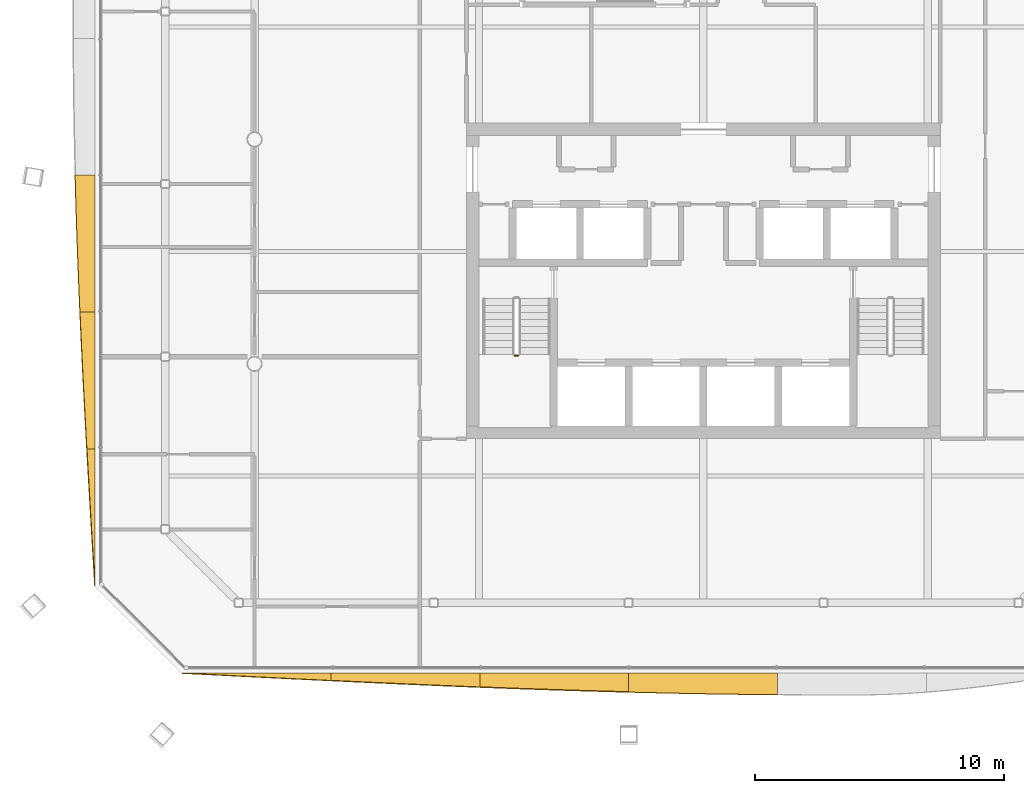
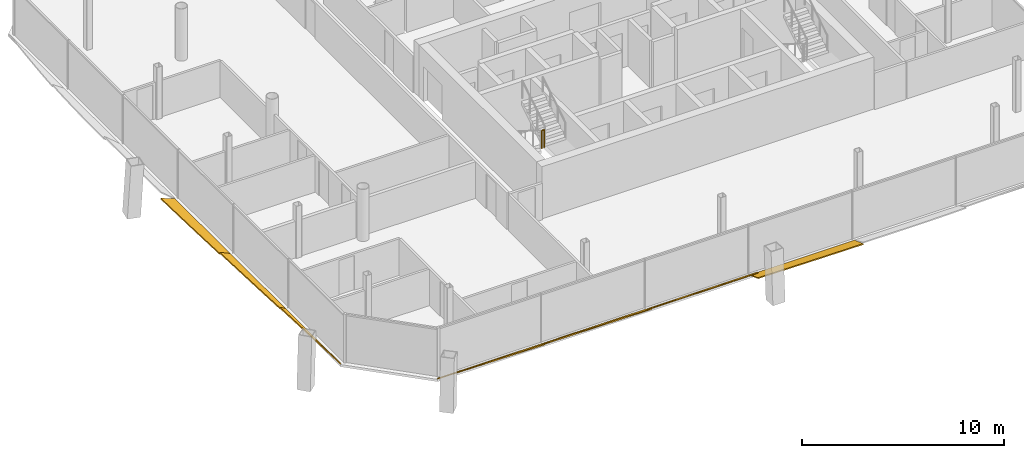
# One storey, part 17 of 20: 7 shading devices, 1 railing.
"""IFC4 building model written with IfcOpenShell, lengths in metres."""

from ifc_helpers import new_model, si_unit, direction, frame, origin, origin_2d, place, context, subcontext, project, spatial, polyline, circle, outline, extrude, material, layer, layer_set, type_object, element, save


model = new_model("IFC4")

# Units and contexts
model_context = context("Model", 3, precision=1e-05, world=origin(), true_north=direction((0.0, 1.0)))
body_context = subcontext(model_context, "Body", "Model", "MODEL_VIEW")
ifc_project = project(units=[si_unit("LENGTHUNIT", "METRE"), si_unit("AREAUNIT", "SQUARE_METRE"), si_unit("VOLUMEUNIT", "CUBIC_METRE"), si_unit("PLANEANGLEUNIT", "RADIAN"), si_unit("MASSUNIT", "GRAM", prefix="KILO")], contexts=[model_context])

# Site, building, storey
site_placement = place(None, origin())
site = spatial("IfcSite", under=ifc_project, at=site_placement, CompositionType="ELEMENT")
building_placement = place(site_placement, origin())
building = spatial("IfcBuilding", under=site, at=building_placement, Name="Tskaro Facet Tower", CompositionType="ELEMENT")
storey_placement = place(building_placement, frame((0.0, 0.0, 178.5)))
storey = spatial("IfcBuildingStorey", under=building, at=storey_placement, Name="L44", CompositionType="ELEMENT", Elevation=178.5)

# Shading devices
ifc_material_1 = material(Name="Bronze anodised aluminium 6063-T6", Category="aluminium")
ifc_layer = layer(ifc_material_1, 0.06005859375, Name="Bronze anodised aluminium 6063-T6")
ifc_layer_set = layer_set([ifc_layer], Name="Bronze anodised aluminium 6063-T6")
shading_device_type = type_object("IfcShadingDeviceType", Name="Bronze sun blade (FN1)", PredefinedType="USERDEFINED", material=ifc_layer_set)
shading_device_1_placement = place(storey_placement, frame((-20.904052734375, -21.39599609375, 0.052001953125), z_axis=(-1.4533465e-05, 0.49981108377, 0.866134447029), x_axis=(0.999999999894, 7.263987e-06, 1.2587935e-05)))
element("IfcShadingDevice", 1, at=shading_device_1_placement, inside=storey, type_object=shading_device_type, Name="Fin blade south 1", ObjectType="FIN", PredefinedType="USERDEFINED", context=body_context, shape_type="SweptSolid", body=[
    extrude(outline(polyline([(0.0, 0.0), (5.968017577494713, 0.0), (5.968017578755931, -0.34421801123745144), (5.222167968930312, -0.3027615400822808), (4.47607421765357, -0.26042664473057564), (3.729980468150262, -0.21788029077361654), (2.9841308597455707, -0.17478899541576315), (2.2380371094161133, -0.1313642172622695), (1.491943357786864, -0.0876059563131355), (0.746093749855815, -0.043969719554387915), (0.0, 0.0)])), origin(), (0.0, 0.0, -1.0), 0.06005859375),
])
shading_device_2_placement = place(storey_placement, frame((-14.93603515625, -21.3916015625, 0.049072265625), z_axis=(5.055751e-06, 0.573754390458, 0.819027410655), x_axis=(0.999999999987, -2.900759e-06, -4.140799e-06)))
element("IfcShadingDevice", 2, at=shading_device_2_placement, inside=storey, type_object=shading_device_type, Name="Fin blade south 2", ObjectType="FIN", PredefinedType="USERDEFINED", context=body_context, shape_type="SweptSolid", body=[
    extrude(outline(polyline([(0.0, 0.0), (5.968017578048728, 0.0), (5.968017578473337, -0.6843466784073957), (5.221923828012962, -0.6480452947914854), (4.476074218377621, -0.6105238494533929), (3.7299804690255174, -0.5719823002570502), (2.984130858779318, -0.5321608082300777), (2.2380371095245466, -0.49151917020878705), (1.4919433594588771, -0.4497975472207988), (0.7460937499154991, -0.4071958971300449), (3.5261225866879944e-10, -0.36391417780045754), (0.0, 0.0)])), origin(), (0.0, 0.0, -1.0), 0.06005859375),
])
shading_device_3_placement = place(storey_placement, frame((-8.968017578125, -21.387451171875, 0.0458984375), z_axis=(8.258265e-06, 0.642828687402, 0.766009972901), x_axis=(0.999999999966, -5.30865e-06, -6.325913e-06)))
element("IfcShadingDevice", 3, at=shading_device_3_placement, inside=storey, type_object=shading_device_type, Name="Fin blade south 3", ObjectType="FIN", PredefinedType="USERDEFINED", context=body_context, shape_type="SweptSolid", body=[
    extrude(outline(polyline([(0.0, 0.0), (5.9680175779214935, 5.0551075184646904e-21), (5.96801757837894, -0.9863835369754501), (5.221923828443807, -0.9605634299070962), (4.476074219079385, -0.9328365349298833), (3.7299804674912793, -0.9033597926413269), (2.984130859065999, -0.8723502907510052), (2.2380371099614473, -0.8394340009518246), (1.4919433590098476, -0.8051118185923631), (0.7460937499250162, -0.7690698624775893), (-3.3579747148560575e-10, -0.7318090279560816), (0.0, 0.0)])), origin(), (0.0, 0.0, -1.0), 0.06005859375),
])
shading_device_4_placement = place(storey_placement, frame((-3.0, -21.405517578125, 0.056396484375), z_axis=(-3.513878e-06, 0.34200548813, 0.939697954705), x_axis=(0.999999999994, 1.201766e-06, 3.301984e-06)))
element("IfcShadingDevice", 4, at=shading_device_4_placement, inside=storey, type_object=shading_device_type, Name="Fin blade south 4", ObjectType="FIN", PredefinedType="USERDEFINED", context=body_context, shape_type="SweptSolid", body=[
    extrude(outline(polyline([(0.0, 0.0), (5.968017578088156, -1.2637768796161726e-21), (5.968017577922965, -0.9152848950759874), (5.221923828155332, -0.9072544514808981), (4.47607421864805, -0.8973675864631107), (3.7299804686638733, -0.8859372159022255), (2.9838867188277973, -0.8729633397982427), (2.2380371092520726, -0.8581330422715616), (1.4919433594928522, -0.8415298207558085), (0.7460937502133319, -0.8236125121429317), (-3.4923345607567583e-10, -0.8040682005533314), (0.0, 0.0)])), origin(), (0.0, 0.0, -1.0), 0.06005859375),
])
shading_device_5_placement = place(storey_placement, frame((-24.405517578125, -1.4345703125, 0.056396484375), z_axis=(0.341996239697, -1.1503062e-05, 0.939701320581), x_axis=(-3.934004e-06, -0.999999999934, -1.0809443e-05)))
element("IfcShadingDevice", 5, at=shading_device_5_placement, inside=storey, type_object=shading_device_type, Name="Fin blade west 4", ObjectType="FIN", PredefinedType="USERDEFINED", context=body_context, shape_type="SweptSolid", body=[
    extrude(outline(polyline([(0.0, 0.0), (5.489746093386797, -2.3249979067334225e-21), (5.489746093431878, -0.6339267293064497), (4.803466795739245, -0.665130829166017), (4.1171875011614345, -0.6949373471597707), (3.43115234312448, -0.7230544351036664), (2.7448730475773626, -0.7497739411817486), (2.058593750585143, -0.7747205220342599), (1.3723144521478192, -0.7978941776612002), (0.6862792964898509, -0.8194408321545921), (-1.238204623180959e-09, -0.8392145614224131), (0.0, 0.0)])), origin(), (0.0, 0.0, -1.0), 0.06005859375),
])
shading_device_6_placement = place(storey_placement, frame((-24.400634765625, -6.92431640625, 0.054443359375), z_axis=(0.422506282916, -1.6855297e-05, 0.906359995042), x_axis=(-7.121469e-06, -0.999999999858, -1.5276967e-05)))
element("IfcShadingDevice", 6, at=shading_device_6_placement, inside=storey, type_object=shading_device_type, Name="Fin blade west 5", ObjectType="FIN", PredefinedType="USERDEFINED", context=body_context, shape_type="SweptSolid", body=[
    extrude(outline(polyline([(0.0, 0.0), (5.489746092970179, 4.649995813466845e-21), (5.489746093463081, -0.3531223858806406), (4.803710938259277, -0.3948475449689532), (4.117431639205678, -0.43558443592648977), (3.431152342395615, -0.4754511871009539), (2.7448730460904494, -0.5142265191966499), (2.05859375029018, -0.5519104322135776), (1.3725585938811333, -0.588281646856041), (0.6862792973520188, -0.6235614424197363), (-2.149478512959409e-09, -0.6573072603132715), (0.0, 0.0)])), origin(), (0.0, 0.0, -1.0), 0.06005859375),
])
shading_device_7_placement = place(storey_placement, frame((-24.39599609375, -12.4140625, 0.052001953125), z_axis=(0.499974390006, -5.573876e-06, 0.866040189199), x_axis=(-2.786795e-06, -0.999999999984, -4.8272e-06)))
element("IfcShadingDevice", 7, at=shading_device_7_placement, inside=storey, type_object=shading_device_type, Name="Fin blade west 6", ObjectType="FIN", PredefinedType="USERDEFINED", context=body_context, shape_type="SweptSolid", body=[
    extrude(outline(polyline([(0.0, 0.0), (5.489990234289718, 0.0), (4.8037109374114975, -0.04736139346165817), (4.1174316410314225, -0.09438928727018507), (3.4311523434728324, -0.14153924513877386), (2.7451171875355294, -0.18802220370110015), (2.058837890292861, -0.23429372667035703), (1.3725585935483373, -0.2802317499864827), (0.6862792971197361, -0.3252913384032764), (-1.7145917534358176e-10, -0.36959455598080015), (0.0, 0.0)])), origin(), (0.0, 0.0, -1.0), 0.06005859375),
])

# Railing
ifc_material_2 = material(Name="Stainless steel", Category="steel")
railing_type = type_object("IfcRailingType", Name="RL-GUARD-1100", PredefinedType="GUARDRAIL", material=ifc_material_2)
railing_placement = place(storey_placement, frame((-7.574951171875, -8.6650390625, 1.574951171875)))
element("IfcRailing", 8, at=railing_placement, inside=storey, type_object=railing_type, Name="L44 ST-1 stair guard 2", PredefinedType="GUARDRAIL", context=body_context, shape_type="SweptSolid", body=[
    extrude(circle(Radius=0.02392578125, at=origin_2d()), frame((0.0, 0.0, 1.076171875), z_axis=(1.0, 0.0, 0.0), x_axis=(0.0, 1.0, 0.0)), (0.0, 0.0, 1.0), 0.14990234375),
    extrude(circle(Radius=0.02099609375, at=origin_2d()), origin(), (0.0, 0.0, 1.0), 1.052001953125),
    extrude(circle(Radius=0.02099609375, at=origin_2d()), frame((0.14990234375, 0.0, 0.0)), (0.0, 0.0, 1.0), 1.052001953125),
])

save(model, "model.ifc")
